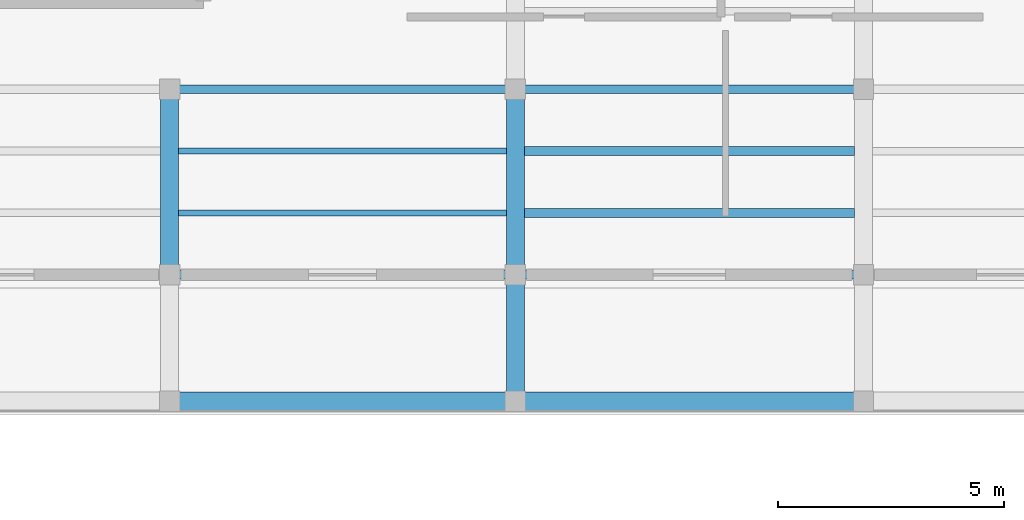
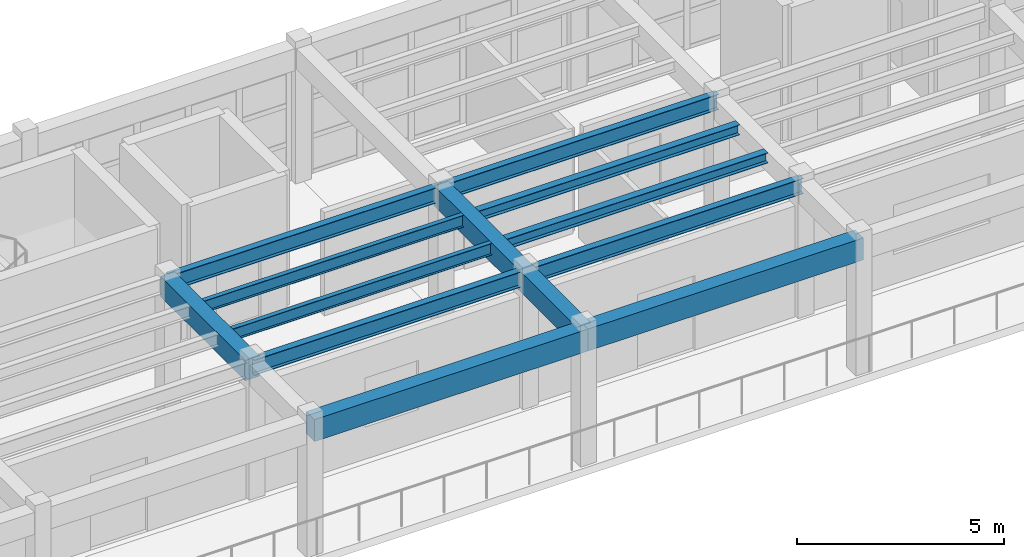
# One storey, part 11 of 66: 13 beams.
"""IFC4 building model written with IfcOpenShell, lengths in metres."""

from ifc_helpers import new_model, si_unit, direction, frame, origin, origin_2d, place, context, subcontext, project, spatial, rectangle, i_section, extrude, material, material_profile, profile_set, type_object, element, save


model = new_model("IFC4")

# Units and contexts
model_context = context("Model", 3, precision=1e-05, world=origin(), true_north=direction((0.0, 1.0)))
body_context = subcontext(model_context, "Body", "Model", "MODEL_VIEW")
ifc_project = project(units=[si_unit("LENGTHUNIT", "METRE"), si_unit("AREAUNIT", "SQUARE_METRE"), si_unit("VOLUMEUNIT", "CUBIC_METRE"), si_unit("PLANEANGLEUNIT", "RADIAN"), si_unit("MASSUNIT", "GRAM", prefix="KILO")], contexts=[model_context])

# Site, building, storey
site_placement = place(None, origin())
site = spatial("IfcSite", under=ifc_project, at=site_placement, CompositionType="ELEMENT")
building_placement = place(site_placement, origin())
building = spatial("IfcBuilding", under=site, at=building_placement, Name="Candilejo Ridge Gondola Terminal", CompositionType="ELEMENT")
storey_placement = place(building_placement, frame((0.0, 0.0, 14.39990234375)))
storey = spatial("IfcBuildingStorey", under=building, at=storey_placement, Name="L03", CompositionType="ELEMENT", Elevation=14.39990234375)

# Beams
ifc_material_1 = material(Name="Concrete f'c 35 MPa (C35/45)", Category="concrete")
ifc_material_profile_1 = material_profile(ifc_material_1, rectangle(XDim=0.39990234375, YDim=0.60009765625, at=origin_2d()))
ifc_profile_set_1 = profile_set([ifc_material_profile_1], Name="Concrete f'c 35 MPa (C35/45)")
beam_type_1 = type_object("IfcBeamType", Name="STR-BM-RC400X600", PredefinedType="BEAM", material=ifc_profile_set_1)
beam_1_placement = place(storey_placement, frame((102.199951171875, 25.699951171875, 3.690185546875), z_axis=(0.0, 1.0, 0.0), x_axis=(-1.0, 0.0, 0.0)))
element("IfcBeam", 1, at=beam_1_placement, inside=storey, type_object=beam_type_1, Name="Beam Y V3 L03 Y05-Y06@X16", PredefinedType="BEAM", context=body_context, shape_type="SweptSolid", body=[
    extrude(rectangle(XDim=0.39990234375, YDim=0.60009765625, at=origin_2d()), origin(), (0.0, 0.0, 1.0), 4.10009765625),
])
beam_2_placement = place(storey_placement, frame((109.85009765625, 22.89990234375, 3.690185546875), z_axis=(0.0, 1.0, 0.0), x_axis=(-1.0, 0.0, 0.0)))
element("IfcBeam", 2, at=beam_2_placement, inside=storey, type_object=beam_type_1, Name="Beam Y V3 L03 Y04-Y05@X17", PredefinedType="BEAM", context=body_context, shape_type="SweptSolid", body=[
    extrude(rectangle(XDim=0.39990234375, YDim=0.60009765625, at=origin_2d()), origin(), (0.0, 0.0, 1.0), 2.800048828125),
])
beam_3_placement = place(storey_placement, frame((109.85009765625, 25.699951171875, 3.690185546875), z_axis=(0.0, 1.0, 0.0), x_axis=(-1.0, 0.0, 0.0)))
element("IfcBeam", 3, at=beam_3_placement, inside=storey, type_object=beam_type_1, Name="Beam Y V3 L03 Y05-Y06@X17", PredefinedType="BEAM", context=body_context, shape_type="SweptSolid", body=[
    extrude(rectangle(XDim=0.39990234375, YDim=0.60009765625, at=origin_2d()), origin(), (0.0, 0.0, 1.0), 4.10009765625),
])
ifc_material_2 = material(Name="Steel ASTM A992 Grade 50", Category="steel")
ifc_material_profile_2 = material_profile(ifc_material_2, i_section(OverallWidth=0.18994140625, OverallDepth=0.45703125, WebThickness=0.009033203125, FlangeThickness=0.014404296875, at=origin_2d()))
ifc_profile_set_2 = profile_set([ifc_material_profile_2], Name="Steel ASTM A992 Grade 50")
beam_type_2 = type_object("IfcBeamType", Name="STR-BM-W460X74", PredefinedType="BEAM", material=ifc_profile_set_2)
beam_4_placement = place(storey_placement, frame((102.199951171875, 25.699951171875, 3.76171875), z_axis=(1.0, 0.0, 0.0), x_axis=(0.0, 1.0, 0.0)))
element("IfcBeam", 4, at=beam_4_placement, inside=storey, type_object=beam_type_2, Name="Beam X V3 L03 X16-X17@Y05", PredefinedType="BEAM", context=body_context, shape_type="SweptSolid", body=[
    extrude(i_section(OverallWidth=0.18994140625, OverallDepth=0.45703125, WebThickness=0.009033203125, FlangeThickness=0.014404296875, at=origin_2d()), origin(), (0.0, 0.0, 1.0), 7.650146484375),
])
beam_5_placement = place(storey_placement, frame((109.85009765625, 25.699951171875, 3.76171875), z_axis=(1.0, 0.0, 0.0), x_axis=(0.0, 1.0, 0.0)))
element("IfcBeam", 5, at=beam_5_placement, inside=storey, type_object=beam_type_2, Name="Beam X V3 L03 X17-X18@Y05", PredefinedType="BEAM", context=body_context, shape_type="SweptSolid", body=[
    extrude(i_section(OverallWidth=0.18994140625, OverallDepth=0.45703125, WebThickness=0.009033203125, FlangeThickness=0.014404296875, at=origin_2d()), origin(), (0.0, 0.0, 1.0), 7.699951171875),
])
beam_6_placement = place(storey_placement, frame((102.199951171875, 29.800048828125, 3.76171875), z_axis=(1.0, 0.0, 0.0), x_axis=(0.0, 1.0, 0.0)))
element("IfcBeam", 6, at=beam_6_placement, inside=storey, type_object=beam_type_2, Name="Beam X V3 L03 X16-X17@Y06", PredefinedType="BEAM", context=body_context, shape_type="SweptSolid", body=[
    extrude(i_section(OverallWidth=0.18994140625, OverallDepth=0.45703125, WebThickness=0.009033203125, FlangeThickness=0.014404296875, at=origin_2d()), origin(), (0.0, 0.0, 1.0), 7.650146484375),
])
beam_7_placement = place(storey_placement, frame((109.85009765625, 29.800048828125, 3.76171875), z_axis=(1.0, 0.0, 0.0), x_axis=(0.0, 1.0, 0.0)))
element("IfcBeam", 7, at=beam_7_placement, inside=storey, type_object=beam_type_2, Name="Beam X V3 L03 X17-X18@Y06", PredefinedType="BEAM", context=body_context, shape_type="SweptSolid", body=[
    extrude(i_section(OverallWidth=0.18994140625, OverallDepth=0.45703125, WebThickness=0.009033203125, FlangeThickness=0.014404296875, at=origin_2d()), origin(), (0.0, 0.0, 1.0), 7.699951171875),
])
ifc_material_3 = material(Name="Steel ASTM A992 Grade 50", Category="steel")
ifc_material_profile_3 = material_profile(ifc_material_3, i_section(OverallWidth=0.202880859375, OverallDepth=0.302978515625, WebThickness=0.007568359375, FlangeThickness=0.01318359375, at=origin_2d()))
ifc_profile_set_3 = profile_set([ifc_material_profile_3], Name="Steel ASTM A992 Grade 50")
beam_type_3 = type_object("IfcBeamType", Name="STR-JST-W310X60", PredefinedType="JOIST", material=ifc_profile_set_3)
for number, where, z_axis, x_axis, name in (
    (8, (110.050048828125, 27.066650390625, 3.838623046875), (1.0, 0.0, 0.0), (0.0, 1.0, 0.0), "Composite joist V3 L03-0629"),
    (9, (110.050048828125, 28.433349609375, 3.838623046875), (1.0, 0.0, 0.0), (0.0, 1.0, 0.0), "Composite joist V3 L03-0630"),
):
    element("IfcBeam", number, at=place(storey_placement, frame(where, z_axis=z_axis, x_axis=x_axis)), inside=storey, type_object=beam_type_3, Name=name, PredefinedType="JOIST", context=body_context, shape_type="SweptSolid", body=[
        extrude(i_section(OverallWidth=0.202880859375, OverallDepth=0.302978515625, WebThickness=0.007568359375, FlangeThickness=0.01318359375, at=origin_2d()), origin(), (0.0, 0.0, 1.0), 7.300048828125),
    ])
ifc_material_4 = material(Name="Steel ASTM A992 Grade 50", Category="steel")
ifc_material_profile_4 = material_profile(ifc_material_4, i_section(OverallWidth=0.1279296875, OverallDepth=0.35302734375, WebThickness=0.006591796875, FlangeThickness=0.0107421875, at=origin_2d()))
ifc_profile_set_4 = profile_set([ifc_material_profile_4], Name="Steel ASTM A992 Grade 50")
beam_type_4 = type_object("IfcBeamType", Name="STR-JST-W360X39", PredefinedType="JOIST", material=ifc_profile_set_4)
for number, where, z_axis, x_axis, name in (
    (10, (102.39990234375, 27.066650390625, 3.8134765625), (1.0, 0.0, 0.0), (0.0, 1.0, 0.0), "Composite joist V3 L03-0627"),
    (11, (102.39990234375, 28.433349609375, 3.8134765625), (1.0, 0.0, 0.0), (0.0, 1.0, 0.0), "Composite joist V3 L03-0628"),
):
    element("IfcBeam", number, at=place(storey_placement, frame(where, z_axis=z_axis, x_axis=x_axis)), inside=storey, type_object=beam_type_4, Name=name, PredefinedType="JOIST", context=body_context, shape_type="SweptSolid", body=[
        extrude(i_section(OverallWidth=0.1279296875, OverallDepth=0.35302734375, WebThickness=0.006591796875, FlangeThickness=0.0107421875, at=origin_2d()), origin(), (0.0, 0.0, 1.0), 7.25),
    ])
ifc_material_5 = material(Name="Concrete f'c 35 MPa (C35/45)", Category="concrete")
ifc_material_profile_5 = material_profile(ifc_material_5, rectangle(XDim=0.39990234375, YDim=0.64990234375, at=origin_2d()))
ifc_profile_set_5 = profile_set([ifc_material_profile_5], Name="Concrete f'c 35 MPa (C35/45)")
beam_type_5 = type_object("IfcBeamType", Name="STR-SPN-RC400X650", PredefinedType="SPANDREL", material=ifc_profile_set_5)
beam_8_placement = place(storey_placement, frame((102.199951171875, 22.89990234375, 3.6650390625), z_axis=(1.0, 0.0, 0.0), x_axis=(0.0, 1.0, 0.0)))
element("IfcBeam", 12, at=beam_8_placement, inside=storey, type_object=beam_type_5, Name="Beam X V3 L03 X16-X17@Y04", PredefinedType="SPANDREL", context=body_context, shape_type="SweptSolid", body=[
    extrude(rectangle(XDim=0.39990234375, YDim=0.64990234375, at=origin_2d()), origin(), (0.0, 0.0, 1.0), 7.650146484375),
])
beam_9_placement = place(storey_placement, frame((109.85009765625, 22.89990234375, 3.6650390625), z_axis=(1.0, 0.0, 0.0), x_axis=(0.0, 1.0, 0.0)))
element("IfcBeam", 13, at=beam_9_placement, inside=storey, type_object=beam_type_5, Name="Beam X V3 L03 X17-X18@Y04", PredefinedType="SPANDREL", context=body_context, shape_type="SweptSolid", body=[
    extrude(rectangle(XDim=0.39990234375, YDim=0.64990234375, at=origin_2d()), origin(), (0.0, 0.0, 1.0), 7.699951171875),
])

save(model, "model.ifc")
